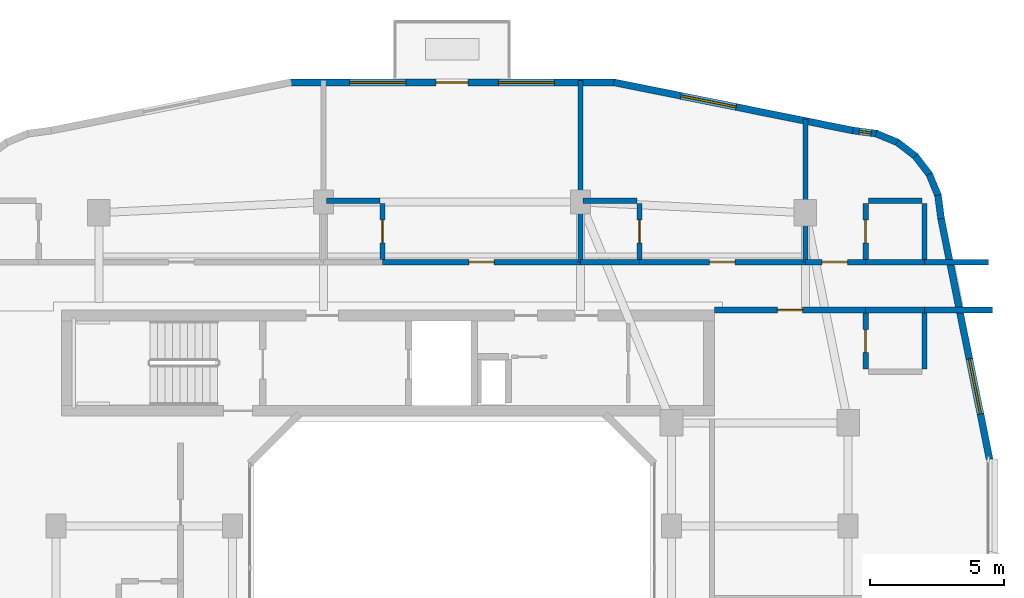
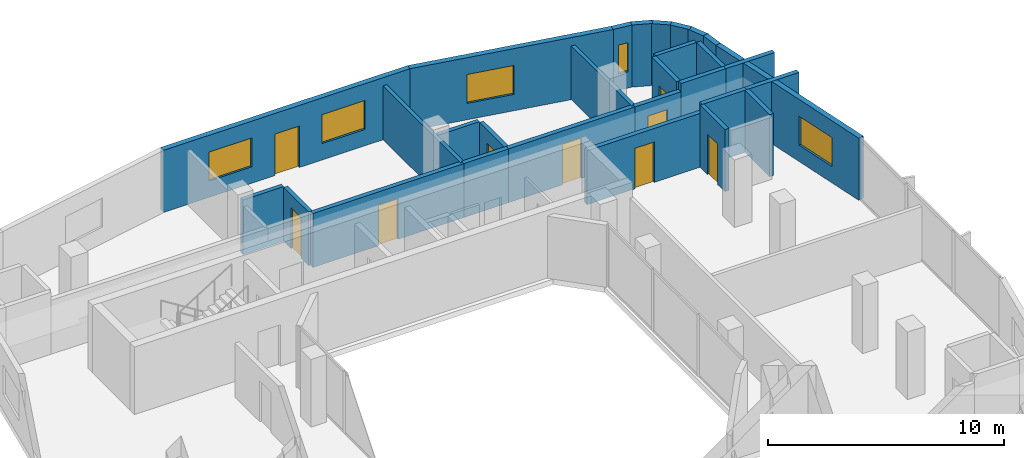
# One storey, part 8 of 13: 29 walls, 9 doors, 5 windows, 14 openings.
"""IFC4 building model written with IfcOpenShell, lengths in metres."""

from ifc_helpers import new_model, si_unit, derived_unit, direction, frame, frame_2d, origin, place, context, subcontext, project, spatial, rectangle, extrude, material, layer, layer_set, type_object, element, fill, save


model = new_model("IFC4")

# Units and contexts
model_context = context("Model", 3, precision=1e-05, world=origin(), true_north=direction((0.0, 1.0)))
body_context = subcontext(model_context, "Body", "Model", "MODEL_VIEW")
ifc_project = project(units=[si_unit("LENGTHUNIT", "METRE"), si_unit("AREAUNIT", "SQUARE_METRE"), si_unit("VOLUMEUNIT", "CUBIC_METRE"), si_unit("PLANEANGLEUNIT", "RADIAN"), si_unit("MASSUNIT", "GRAM", prefix="KILO"), derived_unit("THERMALTRANSMITTANCEUNIT", [(si_unit("POWERUNIT", "WATT"), 1), (si_unit("LENGTHUNIT", "METRE"), -2), (si_unit("THERMODYNAMICTEMPERATUREUNIT", "KELVIN"), -1)])], contexts=[model_context])

# Site, building, storey
site_placement = place(None, origin())
site = spatial("IfcSite", under=ifc_project, at=site_placement, CompositionType="ELEMENT")
building_placement = place(site_placement, origin())
building = spatial("IfcBuilding", under=site, at=building_placement, Name="Kivonza Crest Hotel", CompositionType="ELEMENT")
storey_placement = place(building_placement, frame((0.0, 0.0, 155.5)))
storey = spatial("IfcBuildingStorey", under=building, at=storey_placement, Name="L42", CompositionType="ELEMENT", Elevation=155.5)

# Walls
ifc_material_1 = material(Name="High-density acoustic masonry inter-tenancy wall", Category="masonry")
ifc_layer_1 = layer(ifc_material_1, 0.179931640625)
ifc_layer_set_1 = layer_set([ifc_layer_1], Name="High-density acoustic masonry inter-tenancy wall")
wall_type_1 = type_object("IfcWallType", Name="WL-ACOU-180", PredefinedType="SOLIDWALL", material=ifc_layer_set_1)
wall_1_placement = place(storey_placement, frame((25.800048828125, 38.35009765625, 0.0), z_axis=(0.0, 0.0, 1.0), x_axis=(0.0, 1.0, 0.0)))
element("IfcWall", 1, at=wall_1_placement, inside=storey, type_object=wall_type_1, Name="L42 interior partition WA-L42-T1N-DIV2", PredefinedType="SOLIDWALL", context=body_context, shape_type="SweptSolid", body=[
    extrude(rectangle(XDim=6.789794921875, YDim=0.179931640625, at=frame_2d((3.39501953125, 0.0))), origin(), (0.0, 0.0, 1.0), 2.794921875),
])
wall_2_placement = place(storey_placement, frame((34.199951171875, 38.35009765625, 0.0), z_axis=(0.0, 0.0, 1.0), x_axis=(0.0, 1.0, 0.0)))
element("IfcWall", 2, at=wall_2_placement, inside=storey, type_object=wall_type_1, Name="L42 interior partition WA-L42-T1N-DIV3", PredefinedType="SOLIDWALL", context=body_context, shape_type="SweptSolid", body=[
    extrude(rectangle(XDim=5.350830078125, YDim=0.179931640625, at=frame_2d((2.67529296875, 0.0))), origin(), (0.0, 0.0, 1.0), 2.794921875),
])

# Wall, opening, door
ifc_material_2 = material(Name="Autoclaved aerated concrete blockwork", Category="masonry")
ifc_layer_2 = layer(ifc_material_2, 0.219970703125)
ifc_layer_set_2 = layer_set([ifc_layer_2], Name="Autoclaved aerated concrete blockwork")
wall_type_2 = type_object("IfcWallType", Name="WL-ACOU-220", PredefinedType="SOLIDWALL", material=ifc_layer_set_2)
wall_3_placement = place(storey_placement, frame((18.39990234375, 38.35009765625, 0.0), z_axis=(0.0, 0.0, 1.0), x_axis=(1.0, 0.0, 0.0)))
wall_3 = element("IfcWall", 3, at=wall_3_placement, inside=storey, type_object=wall_type_2, Name="L42 interior partition WA-L42-N02-MCORR", PredefinedType="SOLIDWALL", context=body_context, shape_type="SweptSolid", body=[
    extrude(rectangle(XDim=7.400146484375, YDim=0.219970703125, at=frame_2d((3.7001953125, 0.0))), origin(), (0.0, 0.0, 1.0), 2.794921875),
])
opening_1_placement = place(wall_3_placement, frame((3.22509765625, 0.0, 0.0)))
opening_1 = element("IfcOpeningElement", 4, at=opening_1_placement, cuts=wall_3, Name="Opening DU-60", PredefinedType="OPENING", context=body_context, shape_type="SweptSolid", body=[
    extrude(rectangle(XDim=0.949951171875, YDim=2.10009765625, at=frame_2d((0.47509765625, 1.050048828125))), frame((0.0, 0.1201171875, 0.0), z_axis=(0.0, -1.0, 0.0), x_axis=(1.0, 0.0, 0.0)), (0.0, 0.0, 1.0), 0.239990234375),
])
ifc_material_3 = material(Name="Hardwood timber oak", Category="wood")
door_type_1 = type_object("IfcDoorType", Name="DR-UNIT-950", OperationType="NOTDEFINED", PredefinedType="DOOR", material=ifc_material_3)
door_1_placement = place(opening_1_placement, origin())
door_1 = element("IfcDoor", 5, at=door_1_placement, inside=storey, type_object=door_type_1, Name="L42 N02 guest unit entrance fire door", OperationType="SINGLE_SWING_RIGHT", OverallHeight=2.10009765625, OverallWidth=0.949951171875, PredefinedType="DOOR", context=body_context, shape_type="SweptSolid", body=[
    extrude(rectangle(XDim=0.949951171875, YDim=2.10009765625, at=frame_2d((0.47509765625, 1.050048828125))), frame((0.0, 0.02490234375, 0.0), z_axis=(0.0, -1.0, 0.0), x_axis=(1.0, 0.0, 0.0)), (0.0, 0.0, 1.0), 0.050048828125),
])
fill(opening_1, door_1)

# Wall
wall_4_placement = place(storey_placement, frame((25.800048828125, 38.35009765625, 0.0), z_axis=(0.0, 0.0, 1.0), x_axis=(1.0, 0.0, 0.0)))
element("IfcWall", 6, at=wall_4_placement, inside=storey, type_object=wall_type_2, Name="L42 interior partition WA-L42-N03-BCORR", PredefinedType="SOLIDWALL", context=body_context, shape_type="SweptSolid", body=[
    extrude(rectangle(XDim=2.199951171875, YDim=0.219970703125, at=frame_2d((1.10009765625, 0.0))), origin(), (0.0, 0.0, 1.0), 2.794921875),
])

# Wall, opening, door
wall_5_placement = place(storey_placement, frame((28.0, 38.35009765625, 0.0), z_axis=(0.0, 0.0, 1.0), x_axis=(1.0, 0.0, 0.0)))
wall_5 = element("IfcWall", 7, at=wall_5_placement, inside=storey, type_object=wall_type_2, Name="L42 interior partition WA-L42-N03-MCORR", PredefinedType="SOLIDWALL", context=body_context, shape_type="SweptSolid", body=[
    extrude(rectangle(XDim=6.199951171875, YDim=0.219970703125, at=frame_2d((3.10009765625, 0.0))), origin(), (0.0, 0.0, 1.0), 2.794921875),
])
opening_2_placement = place(wall_5_placement, frame((2.625, 0.0, 0.0)))
opening_2 = element("IfcOpeningElement", 8, at=opening_2_placement, cuts=wall_5, Name="Opening DU-60", PredefinedType="OPENING", context=body_context, shape_type="SweptSolid", body=[
    extrude(rectangle(XDim=0.949951171875, YDim=2.10009765625, at=frame_2d((0.47509765625, 1.050048828125))), frame((0.0, 0.1201171875, 0.0), z_axis=(0.0, -1.0, 0.0), x_axis=(1.0, 0.0, 0.0)), (0.0, 0.0, 1.0), 0.239990234375),
])
door_2_placement = place(opening_2_placement, origin())
door_2 = element("IfcDoor", 9, at=door_2_placement, inside=storey, type_object=door_type_1, Name="L42 N03 guest unit entrance fire door", OperationType="SINGLE_SWING_LEFT", OverallHeight=2.10009765625, OverallWidth=0.949951171875, PredefinedType="DOOR", context=body_context, shape_type="SweptSolid", body=[
    extrude(rectangle(XDim=0.949951171875, YDim=2.10009765625, at=frame_2d((0.47509765625, 1.050048828125))), frame((0.0, 0.02490234375, 0.0), z_axis=(0.0, -1.0, 0.0), x_axis=(1.0, 0.0, 0.0)), (0.0, 0.0, 1.0), 0.050048828125),
])
fill(opening_2, door_2)

# Walls
wall_6_placement = place(storey_placement, frame((38.64990234375, 38.35009765625, 0.0), z_axis=(0.0, 0.0, 1.0), x_axis=(1.0, 0.0, 0.0)))
element("IfcWall", 10, at=wall_6_placement, inside=storey, type_object=wall_type_2, Name="L42 interior partition WA-L42-N04-XCORR", PredefinedType="SOLIDWALL", context=body_context, shape_type="SweptSolid", body=[
    extrude(rectangle(XDim=2.39013671875, YDim=0.219970703125, at=frame_2d((1.195068359375, 0.0))), origin(), (0.0, 0.0, 1.0), 3.219970703125),
])
wall_7_placement = place(storey_placement, frame((36.449951171875, 38.35009765625, 0.0), z_axis=(0.0, 0.0, 1.0), x_axis=(1.0, 0.0, 0.0)))
element("IfcWall", 11, at=wall_7_placement, inside=storey, type_object=wall_type_2, Name="L42 interior partition WA-L42-N04-BCORR", PredefinedType="SOLIDWALL", context=body_context, shape_type="SweptSolid", body=[
    extrude(rectangle(XDim=2.199951171875, YDim=0.219970703125, at=frame_2d((1.10009765625, 0.0))), origin(), (0.0, 0.0, 1.0), 3.219970703125),
])

# Wall, opening, door
wall_8_placement = place(storey_placement, frame((34.199951171875, 38.35009765625, 0.0), z_axis=(0.0, 0.0, 1.0), x_axis=(1.0, 0.0, 0.0)))
wall_8 = element("IfcWall", 12, at=wall_8_placement, inside=storey, type_object=wall_type_2, Name="L42 interior partition WA-L42-N04-MCORR", PredefinedType="SOLIDWALL", context=body_context, shape_type="SweptSolid", body=[
    extrude(rectangle(XDim=2.25, YDim=0.219970703125, at=frame_2d((1.125, 0.0))), origin(), (0.0, 0.0, 1.0), 2.794921875),
])
opening_3_placement = place(wall_8_placement, frame((0.6298828125, 0.0, 0.0)))
opening_3 = element("IfcOpeningElement", 13, at=opening_3_placement, cuts=wall_8, Name="Opening DU-60", PredefinedType="OPENING", context=body_context, shape_type="SweptSolid", body=[
    extrude(rectangle(XDim=0.949951171875, YDim=2.10009765625, at=frame_2d((0.47509765625, 1.050048828125))), frame((0.0, 0.1201171875, 0.0), z_axis=(0.0, -1.0, 0.0), x_axis=(1.0, 0.0, 0.0)), (0.0, 0.0, 1.0), 0.239990234375),
])
door_3_placement = place(opening_3_placement, origin())
door_3 = element("IfcDoor", 14, at=door_3_placement, inside=storey, type_object=door_type_1, Name="L42 N04 guest unit entrance fire door", OperationType="SINGLE_SWING_RIGHT", OverallHeight=2.10009765625, OverallWidth=0.949951171875, PredefinedType="DOOR", context=body_context, shape_type="SweptSolid", body=[
    extrude(rectangle(XDim=0.949951171875, YDim=2.10009765625, at=frame_2d((0.47509765625, 1.050048828125))), frame((0.0, 0.02490234375, 0.0), z_axis=(0.0, -1.0, 0.0), x_axis=(1.0, 0.0, 0.0)), (0.0, 0.0, 1.0), 0.050048828125),
])
fill(opening_3, door_3)

# Walls
wall_9_placement = place(storey_placement, frame((38.64990234375, 36.56005859375, 0.0), z_axis=(0.0, 0.0, 1.0), x_axis=(1.0, 0.0, 0.0)))
element("IfcWall", 15, at=wall_9_placement, inside=storey, type_object=wall_type_2, Name="L42 interior partition WA-L42-EN12-XCORR", PredefinedType="SOLIDWALL", context=body_context, shape_type="SweptSolid", body=[
    extrude(rectangle(XDim=2.550048828125, YDim=0.219970703125, at=frame_2d((1.27490234375, 0.0))), origin(), (0.0, 0.0, 1.0), 3.219970703125),
])
wall_10_placement = place(storey_placement, frame((36.449951171875, 36.56005859375, 0.0), z_axis=(0.0, 0.0, 1.0), x_axis=(1.0, 0.0, 0.0)))
element("IfcWall", 16, at=wall_10_placement, inside=storey, type_object=wall_type_2, Name="L42 interior partition WA-L42-EN12-BCORR", PredefinedType="SOLIDWALL", context=body_context, shape_type="SweptSolid", body=[
    extrude(rectangle(XDim=2.199951171875, YDim=0.219970703125, at=frame_2d((1.10009765625, 0.0))), origin(), (0.0, 0.0, 1.0), 3.219970703125),
])

# Wall, opening, door
wall_11_placement = place(storey_placement, frame((30.800048828125, 36.56005859375, 0.0), z_axis=(0.0, 0.0, 1.0), x_axis=(1.0, 0.0, 0.0)))
wall_11 = element("IfcWall", 17, at=wall_11_placement, inside=storey, type_object=wall_type_2, Name="L42 interior partition WA-L42-EN12-MCORR", PredefinedType="SOLIDWALL", context=body_context, shape_type="SweptSolid", body=[
    extrude(rectangle(XDim=5.64990234375, YDim=0.219970703125, at=frame_2d((2.824951171875, 0.0))), origin(), (0.0, 0.0, 1.0), 2.794921875),
])
opening_4_placement = place(wall_11_placement, frame((2.35009765625, 0.0, 0.0)))
opening_4 = element("IfcOpeningElement", 18, at=opening_4_placement, cuts=wall_11, Name="Opening DU-60", PredefinedType="OPENING", context=body_context, shape_type="SweptSolid", body=[
    extrude(rectangle(XDim=0.949951171875, YDim=2.10009765625, at=frame_2d((0.47509765625, 1.050048828125))), frame((0.0, 0.1201171875, 0.0), z_axis=(0.0, -1.0, 0.0), x_axis=(1.0, 0.0, 0.0)), (0.0, 0.0, 1.0), 0.239990234375),
])
door_4_placement = place(opening_4_placement, frame((0.949951171875, 0.0, 0.0), z_axis=(0.0, 0.0, 1.0), x_axis=(-1.0, 0.0, 0.0)))
door_4 = element("IfcDoor", 19, at=door_4_placement, inside=storey, type_object=door_type_1, Name="L42 EN12 guest unit entrance fire door", OperationType="SINGLE_SWING_LEFT", OverallHeight=2.10009765625, OverallWidth=0.949951171875, PredefinedType="DOOR", context=body_context, shape_type="SweptSolid", body=[
    extrude(rectangle(XDim=0.949951171875, YDim=2.10009765625, at=frame_2d((0.47509765625, 1.050048828125))), frame((0.0, 0.02490234375, 0.0), z_axis=(0.0, -1.0, 0.0), x_axis=(1.0, 0.0, 0.0)), (0.0, 0.0, 1.0), 0.050048828125),
])
fill(opening_4, door_4)

# Wall, opening, window
ifc_material_4 = material(Name="Precast concrete C40/50", Category="concrete")
ifc_layer_3 = layer(ifc_material_4, 0.260009765625)
ifc_layer_set_3 = layer_set([ifc_layer_3], Name="Precast concrete C40/50")
wall_type_3 = type_object("IfcWallType", Name="WL-EXT-260", PredefinedType="STANDARD", material=ifc_layer_set_3)
wall_12_placement = place(storey_placement, frame((41.083984375, 30.97998046875, 0.0), z_axis=(0.0, 0.0, 1.0), x_axis=(-0.197435082048, 0.980315963543, 0.0)))
wall_12 = element("IfcWall", 20, at=wall_12_placement, inside=storey, type_object=wall_type_3, Name="L42 T1 exterior insulated wall 18", PredefinedType="STANDARD", context=body_context, shape_type="SweptSolid", body=[
    extrude(rectangle(XDim=9.1826171875, YDim=0.260009765625, at=frame_2d((4.59130859375, 0.0))), origin(), (0.0, 0.0, 1.0), 3.219970703125),
])
opening_5_placement = place(wall_12_placement, frame((1.73388671875, 0.0, 0.85009765625)))
opening_5 = element("IfcOpeningElement", 21, at=opening_5_placement, cuts=wall_12, Name="Opening WN-04", PredefinedType="OPENING", context=body_context, shape_type="SweptSolid", body=[
    extrude(rectangle(XDim=2.10009765625, YDim=1.5, at=frame_2d((1.050048828125, 0.75))), frame((0.0, 0.14013671875, 0.0), z_axis=(0.0, -1.0, 0.0), x_axis=(1.0, 0.0, 0.0)), (0.0, 0.0, 1.0), 0.280029296875),
])
ifc_material_5 = material(Name="Thermally broken bronze aluminium and low-E double glazing", Category="aluminium")
window_type_1 = type_object("IfcWindowType", Name="WN-210x150", PartitioningType="DOUBLE_PANEL_VERTICAL", PredefinedType="WINDOW", material=ifc_material_5)
window_1_placement = place(opening_5_placement, origin())
window_1 = element("IfcWindow", 22, at=window_1_placement, inside=storey, type_object=window_type_1, Name="L42 T1 facade window 18", OverallHeight=1.5, OverallWidth=2.10009765625, PartitioningType="SINGLE_PANEL", PredefinedType="WINDOW", context=body_context, shape_type="SweptSolid", body=[
    extrude(rectangle(XDim=2.10009765625, YDim=1.5, at=frame_2d((1.050048828125, 0.75))), frame((0.0, 0.030029296875, 0.0), z_axis=(0.0, -1.0, 0.0), x_axis=(1.0, 0.0, 0.0)), (0.0, 0.0, 1.0), 0.06005859375),
])
fill(opening_5, window_1)

# Walls
wall_13_placement = place(storey_placement, frame((39.27197265625, 39.97509765625, 0.0), z_axis=(0.0, 0.0, 1.0), x_axis=(-0.130953706898, 0.991388484223, 0.0)))
element("IfcWall", 23, at=wall_13_placement, inside=storey, type_object=wall_type_3, Name="L42 T1 exterior insulated wall 19", PredefinedType="STANDARD", context=body_context, shape_type="SweptSolid", body=[
    extrude(rectangle(XDim=0.885498046875, YDim=0.260009765625, at=frame_2d((0.44287109375, 0.0))), origin(), (0.0, 0.0, 1.0), 3.219970703125),
])
wall_14_placement = place(storey_placement, frame((39.174072265625, 40.806884765625, 0.0), z_axis=(0.0, 0.0, 1.0), x_axis=(-0.383290660547, 0.923627776508, 0.0)))
element("IfcWall", 24, at=wall_14_placement, inside=storey, type_object=wall_type_3, Name="L42 T1 exterior insulated wall 20", PredefinedType="STANDARD", context=body_context, shape_type="SweptSolid", body=[
    extrude(rectangle(XDim=0.9033203125, YDim=0.260009765625, at=frame_2d((0.45166015625, 0.0))), origin(), (0.0, 0.0, 1.0), 3.219970703125),
])
wall_15_placement = place(storey_placement, frame((38.85595703125, 41.60107421875, 0.0), z_axis=(0.0, 0.0, 1.0), x_axis=(-0.608624690463, 0.793458244748, 0.0)))
element("IfcWall", 25, at=wall_15_placement, inside=storey, type_object=wall_type_3, Name="L42 T1 exterior insulated wall 21", PredefinedType="STANDARD", context=body_context, shape_type="SweptSolid", body=[
    extrude(rectangle(XDim=0.902099609375, YDim=0.260009765625, at=frame_2d((0.451171875, 0.0))), origin(), (0.0, 0.0, 1.0), 3.219970703125),
])
wall_16_placement = place(storey_placement, frame((38.344970703125, 42.285888671875, 0.0), z_axis=(0.0, 0.0, 1.0), x_axis=(-0.793558456666, 0.608494022858, 0.0)))
element("IfcWall", 26, at=wall_16_placement, inside=storey, type_object=wall_type_3, Name="L42 T1 exterior insulated wall 22", PredefinedType="STANDARD", context=body_context, shape_type="SweptSolid", body=[
    extrude(rectangle(XDim=0.90234375, YDim=0.260009765625, at=frame_2d((0.451171875, 0.0))), origin(), (0.0, 0.0, 1.0), 3.219970703125),
])
wall_17_placement = place(storey_placement, frame((37.673095703125, 42.81396484375, 0.0), z_axis=(0.0, 0.0, 1.0), x_axis=(-0.923683767999, 0.383155708213, 0.0)))
element("IfcWall", 27, at=wall_17_placement, inside=storey, type_object=wall_type_3, Name="L42 T1 exterior insulated wall 23", PredefinedType="STANDARD", context=body_context, shape_type="SweptSolid", body=[
    extrude(rectangle(XDim=0.90283203125, YDim=0.260009765625, at=frame_2d((0.451416015625, 0.0))), origin(), (0.0, 0.0, 1.0), 3.219970703125),
])

# Wall, opening, window
wall_18_placement = place(storey_placement, frame((36.887939453125, 43.152099609375, 0.0), z_axis=(0.0, 0.0, 1.0), x_axis=(-0.991487658083, 0.130200706103, 0.0)))
wall_18 = element("IfcWall", 28, at=wall_18_placement, inside=storey, type_object=wall_type_3, Name="L42 T1 exterior insulated wall 24", PredefinedType="STANDARD", context=body_context, shape_type="SweptSolid", body=[
    extrude(rectangle(XDim=0.920654296875, YDim=0.260009765625, at=frame_2d((0.46044921875, 0.0))), origin(), (0.0, 0.0, 1.0), 3.219970703125),
])
opening_6_placement = place(wall_18_placement, frame((0.235107421875, 0.0, 0.85009765625)))
opening_6 = element("IfcOpeningElement", 29, at=opening_6_placement, cuts=wall_18, Name="Opening WN-11", PredefinedType="OPENING", context=body_context, shape_type="SweptSolid", body=[
    extrude(rectangle(XDim=0.449951171875, YDim=1.5, at=frame_2d((0.22509765625, 0.75))), frame((0.0, 0.14013671875, 0.0), z_axis=(0.0, -1.0, 0.0), x_axis=(1.0, 0.0, 0.0)), (0.0, 0.0, 1.0), 0.280029296875),
])
window_type_2 = type_object("IfcWindowType", Name="WN-045x150", PartitioningType="SINGLE_PANEL", PredefinedType="WINDOW", material=ifc_material_5)
window_2_placement = place(opening_6_placement, origin())
window_2 = element("IfcWindow", 30, at=window_2_placement, inside=storey, type_object=window_type_2, Name="L42 corner vision window 1", OverallHeight=1.5, OverallWidth=0.449951171875, PartitioningType="SINGLE_PANEL", PredefinedType="WINDOW", context=body_context, shape_type="SweptSolid", body=[
    extrude(rectangle(XDim=0.449951171875, YDim=1.5, at=frame_2d((0.22509765625, 0.75))), frame((0.0, 0.030029296875, 0.0), z_axis=(0.0, -1.0, 0.0), x_axis=(1.0, 0.0, 0.0)), (0.0, 0.0, 1.0), 0.06005859375),
])
fill(opening_6, window_2)

wall_19_placement = place(storey_placement, frame((35.98193359375, 43.27099609375, 0.0), z_axis=(0.0, 0.0, 1.0), x_axis=(-0.980317172899, 0.197429077186, 0.0)))
wall_19 = element("IfcWall", 31, at=wall_19_placement, inside=storey, type_object=wall_type_3, Name="L42 T1 exterior insulated wall 25", PredefinedType="STANDARD", context=body_context, shape_type="SweptSolid", body=[
    extrude(rectangle(XDim=9.117431640625, YDim=0.260009765625, at=frame_2d((4.55859375, 0.0))), origin(), (0.0, 0.0, 1.0), 3.219970703125),
])
opening_7_placement = place(wall_19_placement, frame((4.455078125, 0.0, 0.85009765625)))
opening_7 = element("IfcOpeningElement", 32, at=opening_7_placement, cuts=wall_19, Name="Opening WN-04", PredefinedType="OPENING", context=body_context, shape_type="SweptSolid", body=[
    extrude(rectangle(XDim=2.10009765625, YDim=1.5, at=frame_2d((1.050048828125, 0.75))), frame((0.0, 0.14013671875, 0.0), z_axis=(0.0, -1.0, 0.0), x_axis=(1.0, 0.0, 0.0)), (0.0, 0.0, 1.0), 0.280029296875),
])
window_3_placement = place(opening_7_placement, origin())
window_3 = element("IfcWindow", 33, at=window_3_placement, inside=storey, type_object=window_type_1, Name="L42 T1 facade window 25", OverallHeight=1.5, OverallWidth=2.10009765625, PartitioningType="SINGLE_PANEL", PredefinedType="WINDOW", context=body_context, shape_type="SweptSolid", body=[
    extrude(rectangle(XDim=2.10009765625, YDim=1.5, at=frame_2d((1.050048828125, 0.75))), frame((0.0, 0.030029296875, 0.0), z_axis=(0.0, -1.0, 0.0), x_axis=(1.0, 0.0, 0.0)), (0.0, 0.0, 1.0), 0.06005859375),
])
fill(opening_7, window_3)

# Wall, openings, door, windows
wall_20_placement = place(storey_placement, frame((27.0849609375, 45.070068359375, 0.0), z_axis=(0.0, 0.0, 1.0), x_axis=(-1.0, 0.0, 0.0)))
wall_20 = element("IfcWall", 34, at=wall_20_placement, inside=storey, type_object=wall_type_3, Name="L42 T1 exterior insulated wall 26", PredefinedType="STANDARD", context=body_context, shape_type="SweptSolid", body=[
    extrude(rectangle(XDim=12.135009765625, YDim=0.260009765625, at=frame_2d((6.0673828125, 0.0))), origin(), (0.0, 0.0, 1.0), 3.219970703125),
])
opening_8_placement = place(wall_20_placement, frame((5.485107421875, 0.0, 0.0)))
opening_8 = element("IfcOpeningElement", 35, at=opening_8_placement, cuts=wall_20, Name="Opening DT-120", PredefinedType="OPENING", context=body_context, shape_type="SweptSolid", body=[
    extrude(rectangle(XDim=1.199951171875, YDim=2.14990234375, at=frame_2d((0.60009765625, 1.074951171875))), frame((0.0, 0.14013671875, 0.0), z_axis=(0.0, -1.0, 0.0), x_axis=(1.0, 0.0, 0.0)), (0.0, 0.0, 1.0), 0.280029296875),
])
opening_9_placement = place(wall_20_placement, frame((2.260009765625, 0.0, 0.85009765625)))
opening_9 = element("IfcOpeningElement", 36, at=opening_9_placement, cuts=wall_20, Name="Opening WN-04", PredefinedType="OPENING", context=body_context, shape_type="SweptSolid", body=[
    extrude(rectangle(XDim=2.10009765625, YDim=1.5, at=frame_2d((1.050048828125, 0.75))), frame((0.0, 0.14013671875, 0.0), z_axis=(0.0, -1.0, 0.0), x_axis=(1.0, 0.0, 0.0)), (0.0, 0.0, 1.0), 0.280029296875),
])
opening_10_placement = place(wall_20_placement, frame((7.81005859375, 0.0, 0.85009765625)))
opening_10 = element("IfcOpeningElement", 37, at=opening_10_placement, cuts=wall_20, Name="Opening WN-04", PredefinedType="OPENING", context=body_context, shape_type="SweptSolid", body=[
    extrude(rectangle(XDim=2.10009765625, YDim=1.5, at=frame_2d((1.050048828125, 0.75))), frame((0.0, 0.14013671875, 0.0), z_axis=(0.0, -1.0, 0.0), x_axis=(1.0, 0.0, 0.0)), (0.0, 0.0, 1.0), 0.280029296875),
])
ifc_material_6 = material(Name="Anodised bronze aluminium and laminated safety glass", Category="aluminium")
door_type_2 = type_object("IfcDoorType", Name="DR-TERR-1200", OperationType="NOTDEFINED", PredefinedType="DOOR", material=ifc_material_6)
door_5_placement = place(opening_8_placement, frame((1.199951171875, 0.0, 0.0), z_axis=(0.0, 0.0, 1.0), x_axis=(-1.0, 0.0, 0.0)))
door_5 = element("IfcDoor", 38, at=door_5_placement, inside=storey, type_object=door_type_2, Name="T1 L42 NE sky-garden bridge access door", OperationType="SINGLE_SWING_LEFT", OverallHeight=2.14990234375, OverallWidth=1.199951171875, PredefinedType="DOOR", context=body_context, shape_type="SweptSolid", body=[
    extrude(rectangle(XDim=1.199951171875, YDim=2.14990234375, at=frame_2d((0.60009765625, 1.074951171875))), frame((0.0, 0.02490234375, 0.0), z_axis=(0.0, -1.0, 0.0), x_axis=(1.0, 0.0, 0.0)), (0.0, 0.0, 1.0), 0.050048828125),
])
fill(opening_8, door_5)
window_4_placement = place(opening_9_placement, origin())
window_4 = element("IfcWindow", 39, at=window_4_placement, inside=storey, type_object=window_type_1, Name="L42 T1 facade window 26 bay 1", OverallHeight=1.5, OverallWidth=2.10009765625, PartitioningType="SINGLE_PANEL", PredefinedType="WINDOW", context=body_context, shape_type="SweptSolid", body=[
    extrude(rectangle(XDim=2.10009765625, YDim=1.5, at=frame_2d((1.050048828125, 0.75))), frame((0.0, 0.030029296875, 0.0), z_axis=(0.0, -1.0, 0.0), x_axis=(1.0, 0.0, 0.0)), (0.0, 0.0, 1.0), 0.06005859375),
])
fill(opening_9, window_4)
window_5_placement = place(opening_10_placement, origin())
window_5 = element("IfcWindow", 40, at=window_5_placement, inside=storey, type_object=window_type_1, Name="L42 T1 facade window 26 bay 2", OverallHeight=1.5, OverallWidth=2.10009765625, PartitioningType="SINGLE_PANEL", PredefinedType="WINDOW", context=body_context, shape_type="SweptSolid", body=[
    extrude(rectangle(XDim=2.10009765625, YDim=1.5, at=frame_2d((1.050048828125, 0.75))), frame((0.0, 0.030029296875, 0.0), z_axis=(0.0, -1.0, 0.0), x_axis=(1.0, 0.0, 0.0)), (0.0, 0.0, 1.0), 0.06005859375),
])
fill(opening_10, window_5)

# Wall, opening, door
ifc_material_7 = material(Name="Moisture-resistant plumbing chase partition wall", Category="gypsum")
ifc_layer_4 = layer(ifc_material_7, 0.199951171875)
ifc_layer_set_4 = layer_set([ifc_layer_4], Name="Moisture-resistant plumbing chase partition wall")
wall_type_4 = type_object("IfcWallType", Name="WL-PLUMB-200", PredefinedType="PLUMBINGWALL", material=ifc_layer_set_4)
wall_21_placement = place(storey_placement, frame((18.39990234375, 38.449951171875, 0.0), z_axis=(0.0, 0.0, 1.0), x_axis=(0.0, 1.0, 0.0)))
wall_21 = element("IfcWall", 41, at=wall_21_placement, inside=storey, type_object=wall_type_4, Name="L42 interior partition WW-L42-N02-BV", PredefinedType="PLUMBINGWALL", context=body_context, shape_type="SweptSolid", body=[
    extrude(rectangle(XDim=2.10009765625, YDim=0.199951171875, at=frame_2d((1.050048828125, 0.0))), origin(), (0.0, 0.0, 1.0), 2.794921875),
])
opening_11_placement = place(wall_21_placement, frame((0.625, 0.0, 0.0)))
opening_11 = element("IfcOpeningElement", 42, at=opening_11_placement, cuts=wall_21, Name="Opening DI-85", PredefinedType="OPENING", context=body_context, shape_type="SweptSolid", body=[
    extrude(rectangle(XDim=0.85009765625, YDim=2.10009765625, at=frame_2d((0.425048828125, 1.050048828125))), frame((0.0, 0.10986328125, 0.0), z_axis=(0.0, -1.0, 0.0), x_axis=(1.0, 0.0, 0.0)), (0.0, 0.0, 1.0), 0.219970703125),
])
door_type_3 = type_object("IfcDoorType", Name="DR-INT-850", OperationType="NOTDEFINED", PredefinedType="DOOR", material=ifc_material_3)
door_6_placement = place(opening_11_placement, frame((0.85009765625, 0.0, 0.0), z_axis=(0.0, 0.0, 1.0), x_axis=(-1.0, 0.0, 0.0)))
door_6 = element("IfcDoor", 43, at=door_6_placement, inside=storey, type_object=door_type_3, Name="L42 N02 en-suite bathroom door", OperationType="SINGLE_SWING_LEFT", OverallHeight=2.10009765625, OverallWidth=0.85009765625, PredefinedType="DOOR", context=body_context, shape_type="SweptSolid", body=[
    extrude(rectangle(XDim=0.85009765625, YDim=2.10009765625, at=frame_2d((0.425048828125, 1.050048828125))), frame((0.0, 0.02490234375, 0.0), z_axis=(0.0, -1.0, 0.0), x_axis=(1.0, 0.0, 0.0)), (0.0, 0.0, 1.0), 0.050048828125),
])
fill(opening_11, door_6)

# Wall
wall_22_placement = place(storey_placement, frame((16.300048828125, 40.64990234375, 0.0), z_axis=(0.0, 0.0, 1.0), x_axis=(1.0, 0.0, 0.0)))
element("IfcWall", 44, at=wall_22_placement, inside=storey, type_object=wall_type_4, Name="L42 interior partition WW-L42-N02-BH", PredefinedType="PLUMBINGWALL", context=body_context, shape_type="SweptSolid", body=[
    extrude(rectangle(XDim=2.0, YDim=0.199951171875, at=frame_2d((1.0, 0.0))), origin(), (0.0, 0.0, 1.0), 2.8349609375),
])

# Wall, opening, door
wall_23_placement = place(storey_placement, frame((28.0, 38.449951171875, 0.0), z_axis=(0.0, 0.0, 1.0), x_axis=(0.0, 1.0, 0.0)))
wall_23 = element("IfcWall", 45, at=wall_23_placement, inside=storey, type_object=wall_type_4, Name="L42 interior partition WW-L42-N03-BV", PredefinedType="PLUMBINGWALL", context=body_context, shape_type="SweptSolid", body=[
    extrude(rectangle(XDim=2.10009765625, YDim=0.199951171875, at=frame_2d((1.050048828125, 0.0))), origin(), (0.0, 0.0, 1.0), 2.794921875),
])
opening_12_placement = place(wall_23_placement, frame((0.625, 0.0, 0.0)))
opening_12 = element("IfcOpeningElement", 46, at=opening_12_placement, cuts=wall_23, Name="Opening DI-85", PredefinedType="OPENING", context=body_context, shape_type="SweptSolid", body=[
    extrude(rectangle(XDim=0.85009765625, YDim=2.10009765625, at=frame_2d((0.425048828125, 1.050048828125))), frame((0.0, 0.10986328125, 0.0), z_axis=(0.0, -1.0, 0.0), x_axis=(1.0, 0.0, 0.0)), (0.0, 0.0, 1.0), 0.219970703125),
])
door_7_placement = place(opening_12_placement, frame((0.85009765625, 0.0, 0.0), z_axis=(0.0, 0.0, 1.0), x_axis=(-1.0, 0.0, 0.0)))
door_7 = element("IfcDoor", 47, at=door_7_placement, inside=storey, type_object=door_type_3, Name="L42 N03 en-suite bathroom door", OperationType="SINGLE_SWING_RIGHT", OverallHeight=2.10009765625, OverallWidth=0.85009765625, PredefinedType="DOOR", context=body_context, shape_type="SweptSolid", body=[
    extrude(rectangle(XDim=0.85009765625, YDim=2.10009765625, at=frame_2d((0.425048828125, 1.050048828125))), frame((0.0, 0.02490234375, 0.0), z_axis=(0.0, -1.0, 0.0), x_axis=(1.0, 0.0, 0.0)), (0.0, 0.0, 1.0), 0.050048828125),
])
fill(opening_12, door_7)

# Wall
wall_24_placement = place(storey_placement, frame((25.89990234375, 40.64990234375, 0.0), z_axis=(0.0, 0.0, 1.0), x_axis=(1.0, 0.0, 0.0)))
element("IfcWall", 48, at=wall_24_placement, inside=storey, type_object=wall_type_4, Name="L42 interior partition WW-L42-N03-BH", PredefinedType="PLUMBINGWALL", context=body_context, shape_type="SweptSolid", body=[
    extrude(rectangle(XDim=2.0, YDim=0.199951171875, at=frame_2d((1.0, 0.0))), origin(), (0.0, 0.0, 1.0), 2.8349609375),
])

# Wall, opening, door
wall_25_placement = place(storey_placement, frame((36.449951171875, 38.449951171875, 0.0), z_axis=(0.0, 0.0, 1.0), x_axis=(0.0, 1.0, 0.0)))
wall_25 = element("IfcWall", 49, at=wall_25_placement, inside=storey, type_object=wall_type_4, Name="L42 interior partition WW-L42-N04-BV", PredefinedType="PLUMBINGWALL", context=body_context, shape_type="SweptSolid", body=[
    extrude(rectangle(XDim=2.10009765625, YDim=0.199951171875, at=frame_2d((1.050048828125, 0.0))), origin(), (0.0, 0.0, 1.0), 3.219970703125),
])
opening_13_placement = place(wall_25_placement, frame((0.625, 0.0, 0.0)))
opening_13 = element("IfcOpeningElement", 50, at=opening_13_placement, cuts=wall_25, Name="Opening DI-85", PredefinedType="OPENING", context=body_context, shape_type="SweptSolid", body=[
    extrude(rectangle(XDim=0.85009765625, YDim=2.10009765625, at=frame_2d((0.425048828125, 1.050048828125))), frame((0.0, 0.10986328125, 0.0), z_axis=(0.0, -1.0, 0.0), x_axis=(1.0, 0.0, 0.0)), (0.0, 0.0, 1.0), 0.219970703125),
])
door_8_placement = place(opening_13_placement, origin())
door_8 = element("IfcDoor", 51, at=door_8_placement, inside=storey, type_object=door_type_3, Name="L42 N04 en-suite bathroom door", OperationType="SINGLE_SWING_LEFT", OverallHeight=2.10009765625, OverallWidth=0.85009765625, PredefinedType="DOOR", context=body_context, shape_type="SweptSolid", body=[
    extrude(rectangle(XDim=0.85009765625, YDim=2.10009765625, at=frame_2d((0.425048828125, 1.050048828125))), frame((0.0, 0.02490234375, 0.0), z_axis=(0.0, -1.0, 0.0), x_axis=(1.0, 0.0, 0.0)), (0.0, 0.0, 1.0), 0.050048828125),
])
fill(opening_13, door_8)

# Walls
wall_26_placement = place(storey_placement, frame((36.550048828125, 40.64990234375, 0.0), z_axis=(0.0, 0.0, 1.0), x_axis=(1.0, 0.0, 0.0)))
element("IfcWall", 52, at=wall_26_placement, inside=storey, type_object=wall_type_4, Name="L42 interior partition WW-L42-N04-BH", PredefinedType="PLUMBINGWALL", context=body_context, shape_type="SweptSolid", body=[
    extrude(rectangle(XDim=2.0, YDim=0.199951171875, at=frame_2d((1.0, 0.0))), origin(), (0.0, 0.0, 1.0), 3.219970703125),
])
wall_27_placement = place(storey_placement, frame((38.64990234375, 38.449951171875, 0.0), z_axis=(0.0, 0.0, 1.0), x_axis=(0.0, 1.0, 0.0)))
element("IfcWall", 53, at=wall_27_placement, inside=storey, type_object=wall_type_4, Name="L42 interior partition WW-L42-N04-BVE", PredefinedType="PLUMBINGWALL", context=body_context, shape_type="SweptSolid", body=[
    extrude(rectangle(XDim=2.10009765625, YDim=0.199951171875, at=frame_2d((1.050048828125, 0.0))), origin(), (0.0, 0.0, 1.0), 3.219970703125),
])

# Wall, opening, door
wall_28_placement = place(storey_placement, frame((36.449951171875, 34.360107421875, 0.0), z_axis=(0.0, 0.0, 1.0), x_axis=(0.0, 1.0, 0.0)))
wall_28 = element("IfcWall", 54, at=wall_28_placement, inside=storey, type_object=wall_type_4, Name="L42 interior partition WW-L42-EN12-BV", PredefinedType="PLUMBINGWALL", context=body_context, shape_type="SweptSolid", body=[
    extrude(rectangle(XDim=2.099853515625, YDim=0.199951171875, at=frame_2d((1.0498046875, 0.0))), origin(), (0.0, 0.0, 1.0), 3.219970703125),
])
opening_14_placement = place(wall_28_placement, frame((0.625, 0.0, 0.0)))
opening_14 = element("IfcOpeningElement", 55, at=opening_14_placement, cuts=wall_28, Name="Opening DI-85", PredefinedType="OPENING", context=body_context, shape_type="SweptSolid", body=[
    extrude(rectangle(XDim=0.85009765625, YDim=2.10009765625, at=frame_2d((0.425048828125, 1.050048828125))), frame((0.0, 0.10986328125, 0.0), z_axis=(0.0, -1.0, 0.0), x_axis=(1.0, 0.0, 0.0)), (0.0, 0.0, 1.0), 0.219970703125),
])
door_9_placement = place(opening_14_placement, origin())
door_9 = element("IfcDoor", 56, at=door_9_placement, inside=storey, type_object=door_type_3, Name="L42 EN12 en-suite bathroom door", OperationType="SINGLE_SWING_RIGHT", OverallHeight=2.10009765625, OverallWidth=0.85009765625, PredefinedType="DOOR", context=body_context, shape_type="SweptSolid", body=[
    extrude(rectangle(XDim=0.85009765625, YDim=2.10009765625, at=frame_2d((0.425048828125, 1.050048828125))), frame((0.0, 0.02490234375, 0.0), z_axis=(0.0, -1.0, 0.0), x_axis=(1.0, 0.0, 0.0)), (0.0, 0.0, 1.0), 0.050048828125),
])
fill(opening_14, door_9)

# Wall
wall_29_placement = place(storey_placement, frame((38.64990234375, 34.360107421875, 0.0), z_axis=(0.0, 0.0, 1.0), x_axis=(0.0, 1.0, 0.0)))
element("IfcWall", 57, at=wall_29_placement, inside=storey, type_object=wall_type_4, Name="L42 interior partition WW-L42-EN12-BVE", PredefinedType="PLUMBINGWALL", context=body_context, shape_type="SweptSolid", body=[
    extrude(rectangle(XDim=2.099853515625, YDim=0.199951171875, at=frame_2d((1.0498046875, 0.0))), origin(), (0.0, 0.0, 1.0), 3.219970703125),
])

save(model, "model.ifc")
